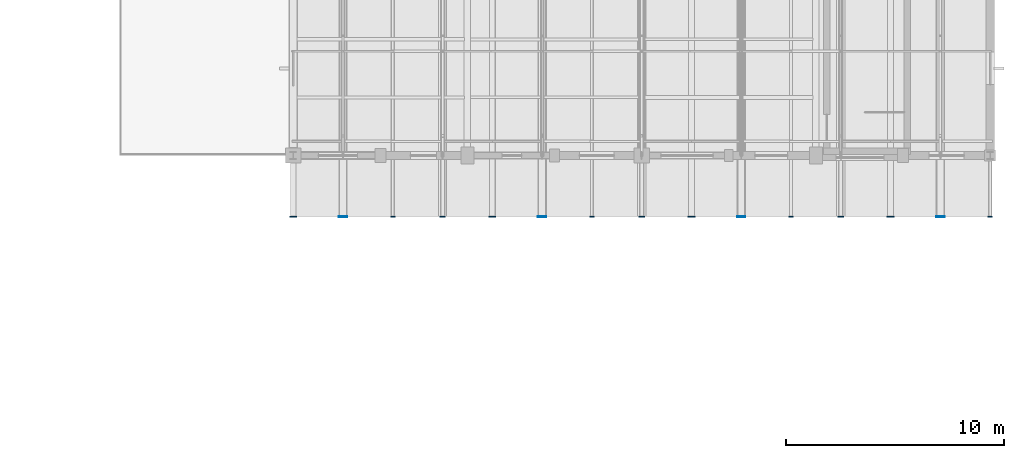
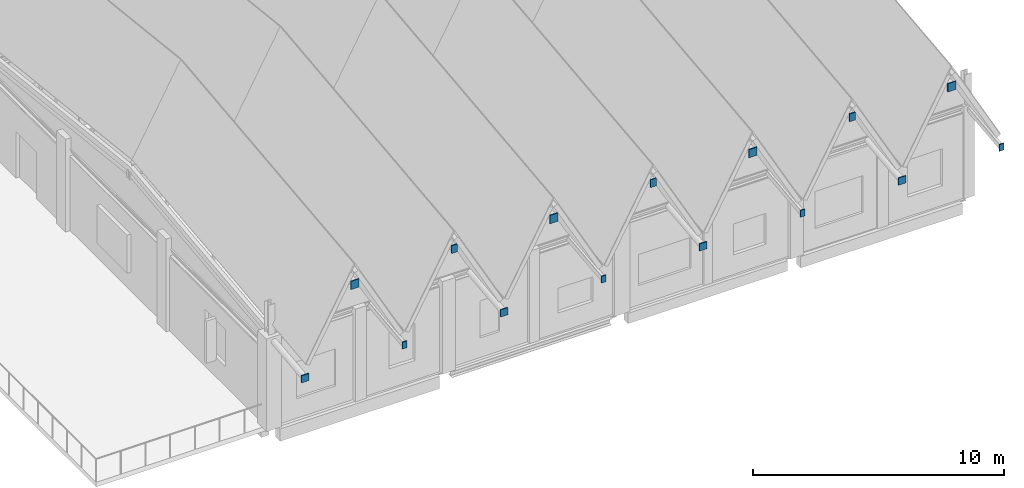
# One storey, part 41 of 48: 15 discrete accessories.
"""IFC4 building model written with IfcOpenShell, lengths in metres."""

from ifc_helpers import new_model, si_unit, direction, frame, origin, origin_2d, place, context, subcontext, project, spatial, rectangle, extrude, material, type_object, element, save


model = new_model("IFC4")

# Units and contexts
model_context = context("Model", 3, precision=1e-05, world=origin(), true_north=direction((0.0, 1.0)))
body_context = subcontext(model_context, "Body", "Model", "MODEL_VIEW")
ifc_project = project(units=[si_unit("LENGTHUNIT", "METRE"), si_unit("AREAUNIT", "SQUARE_METRE"), si_unit("VOLUMEUNIT", "CUBIC_METRE"), si_unit("PLANEANGLEUNIT", "RADIAN"), si_unit("MASSUNIT", "GRAM", prefix="KILO")], contexts=[model_context])

# Site, building, storey
site_placement = place(None, origin())
site = spatial("IfcSite", under=ifc_project, at=site_placement, CompositionType="ELEMENT")
building_placement = place(site_placement, origin())
building = spatial("IfcBuilding", under=site, at=building_placement, Name="Luwemba Playhouse", CompositionType="ELEMENT")
storey_placement = place(building_placement, frame((0.0, 0.0, 13.800048828125)))
storey = spatial("IfcBuildingStorey", under=building, at=storey_placement, Name="L03", CompositionType="ELEMENT", Elevation=13.800048828125)

# Discrete accessories
ifc_material = material(Name="Steel S355", Category="steel")
discrete_accessory_type = type_object("IfcDiscreteAccessoryType", Name="ACC-ENDCAP-S355", PredefinedType="BRACKET", material=ifc_material)
discrete_accessory_1_placement = place(storey_placement, frame((140.0, 65.18505859375, 3.81103515625), z_axis=(0.0, 0.0, 1.0), x_axis=(1.0, 0.0, 0.0)))
element("IfcDiscreteAccessory", 1, at=discrete_accessory_1_placement, inside=storey, type_object=discrete_accessory_type, Name="Welded RHS end cap plate 0257", PredefinedType="BRACKET", context=body_context, shape_type="SweptSolid", body=[
    extrude(rectangle(XDim=0.3330078125, YDim=0.044921875, at=origin_2d()), origin(), (0.0, 0.0, 1.0), 0.35302734375),
])
discrete_accessory_2_placement = place(storey_placement, frame((142.28564453125, 65.18505859375, 7.54833984375), z_axis=(0.0, 0.0, 1.0), x_axis=(1.0, 0.0, 0.0)))
element("IfcDiscreteAccessory", 2, at=discrete_accessory_2_placement, inside=storey, type_object=discrete_accessory_type, Name="Welded RHS end cap plate 0261", PredefinedType="BRACKET", context=body_context, shape_type="SweptSolid", body=[
    extrude(rectangle(XDim=0.384033203125, YDim=0.044921875, at=origin_2d()), origin(), (0.0, 0.0, 1.0), 0.404052734375),
])
discrete_accessory_3_placement = place(storey_placement, frame((144.5712890625, 65.18505859375, 3.834228515625), z_axis=(0.0, 0.0, 1.0), x_axis=(1.0, 0.0, 0.0)))
element("IfcDiscreteAccessory", 3, at=discrete_accessory_3_placement, inside=storey, type_object=discrete_accessory_type, Name="Welded RHS end cap plate 0265", PredefinedType="BRACKET", context=body_context, shape_type="SweptSolid", body=[
    extrude(rectangle(XDim=0.2099609375, YDim=0.044921875, at=origin_2d()), origin(), (0.0, 0.0, 1.0), 0.330078125),
])
discrete_accessory_4_placement = place(storey_placement, frame((146.857177734375, 65.18505859375, 7.685302734375), z_axis=(0.0, 0.0, 1.0), x_axis=(1.0, 0.0, 0.0)))
element("IfcDiscreteAccessory", 4, at=discrete_accessory_4_placement, inside=storey, type_object=discrete_accessory_type, Name="Welded RHS end cap plate 0269", PredefinedType="BRACKET", context=body_context, shape_type="SweptSolid", body=[
    extrude(rectangle(XDim=0.260009765625, YDim=0.044921875, at=origin_2d()), origin(), (0.0, 0.0, 1.0), 0.3798828125),
])
discrete_accessory_5_placement = place(storey_placement, frame((149.142822265625, 65.18505859375, 3.811279296875), z_axis=(0.0, 0.0, 1.0), x_axis=(1.0, 0.0, 0.0)))
element("IfcDiscreteAccessory", 5, at=discrete_accessory_5_placement, inside=storey, type_object=discrete_accessory_type, Name="Welded RHS end cap plate 0273", PredefinedType="BRACKET", context=body_context, shape_type="SweptSolid", body=[
    extrude(rectangle(XDim=0.3330078125, YDim=0.044921875, at=origin_2d()), origin(), (0.0, 0.0, 1.0), 0.35302734375),
])
discrete_accessory_6_placement = place(storey_placement, frame((151.4287109375, 65.18505859375, 7.54833984375), z_axis=(0.0, 0.0, 1.0), x_axis=(1.0, 0.0, 0.0)))
element("IfcDiscreteAccessory", 6, at=discrete_accessory_6_placement, inside=storey, type_object=discrete_accessory_type, Name="Welded RHS end cap plate 0277", PredefinedType="BRACKET", context=body_context, shape_type="SweptSolid", body=[
    extrude(rectangle(XDim=0.384033203125, YDim=0.044921875, at=origin_2d()), origin(), (0.0, 0.0, 1.0), 0.404052734375),
])
discrete_accessory_7_placement = place(storey_placement, frame((153.71435546875, 65.18505859375, 3.834228515625), z_axis=(0.0, 0.0, 1.0), x_axis=(1.0, 0.0, 0.0)))
element("IfcDiscreteAccessory", 7, at=discrete_accessory_7_placement, inside=storey, type_object=discrete_accessory_type, Name="Welded RHS end cap plate 0281", PredefinedType="BRACKET", context=body_context, shape_type="SweptSolid", body=[
    extrude(rectangle(XDim=0.2099609375, YDim=0.044921875, at=origin_2d()), origin(), (0.0, 0.0, 1.0), 0.330078125),
])
discrete_accessory_8_placement = place(storey_placement, frame((156.0, 65.18505859375, 7.685302734375), z_axis=(0.0, 0.0, 1.0), x_axis=(1.0, 0.0, 0.0)))
element("IfcDiscreteAccessory", 8, at=discrete_accessory_8_placement, inside=storey, type_object=discrete_accessory_type, Name="Welded RHS end cap plate 0285", PredefinedType="BRACKET", context=body_context, shape_type="SweptSolid", body=[
    extrude(rectangle(XDim=0.260009765625, YDim=0.044921875, at=origin_2d()), origin(), (0.0, 0.0, 1.0), 0.3798828125),
])
discrete_accessory_9_placement = place(storey_placement, frame((158.28564453125, 65.18505859375, 3.81103515625), z_axis=(0.0, 0.0, 1.0), x_axis=(1.0, 0.0, 0.0)))
element("IfcDiscreteAccessory", 9, at=discrete_accessory_9_placement, inside=storey, type_object=discrete_accessory_type, Name="Welded RHS end cap plate 0289", PredefinedType="BRACKET", context=body_context, shape_type="SweptSolid", body=[
    extrude(rectangle(XDim=0.3330078125, YDim=0.044921875, at=origin_2d()), origin(), (0.0, 0.0, 1.0), 0.35302734375),
])
discrete_accessory_10_placement = place(storey_placement, frame((160.5712890625, 65.18505859375, 7.54833984375), z_axis=(0.0, 0.0, 1.0), x_axis=(1.0, 0.0, 0.0)))
element("IfcDiscreteAccessory", 10, at=discrete_accessory_10_placement, inside=storey, type_object=discrete_accessory_type, Name="Welded RHS end cap plate 0293", PredefinedType="BRACKET", context=body_context, shape_type="SweptSolid", body=[
    extrude(rectangle(XDim=0.384033203125, YDim=0.044921875, at=origin_2d()), origin(), (0.0, 0.0, 1.0), 0.404052734375),
])
discrete_accessory_11_placement = place(storey_placement, frame((162.857177734375, 65.18505859375, 3.834228515625), z_axis=(0.0, 0.0, 1.0), x_axis=(1.0, 0.0, 0.0)))
element("IfcDiscreteAccessory", 11, at=discrete_accessory_11_placement, inside=storey, type_object=discrete_accessory_type, Name="Welded RHS end cap plate 0297", PredefinedType="BRACKET", context=body_context, shape_type="SweptSolid", body=[
    extrude(rectangle(XDim=0.2099609375, YDim=0.044921875, at=origin_2d()), origin(), (0.0, 0.0, 1.0), 0.330078125),
])
discrete_accessory_12_placement = place(storey_placement, frame((165.142822265625, 65.18505859375, 7.685302734375), z_axis=(0.0, 0.0, 1.0), x_axis=(1.0, 0.0, 0.0)))
element("IfcDiscreteAccessory", 12, at=discrete_accessory_12_placement, inside=storey, type_object=discrete_accessory_type, Name="Welded RHS end cap plate 0301", PredefinedType="BRACKET", context=body_context, shape_type="SweptSolid", body=[
    extrude(rectangle(XDim=0.260009765625, YDim=0.044921875, at=origin_2d()), origin(), (0.0, 0.0, 1.0), 0.3798828125),
])
discrete_accessory_13_placement = place(storey_placement, frame((167.4287109375, 65.18505859375, 3.811279296875), z_axis=(0.0, 0.0, 1.0), x_axis=(1.0, 0.0, 0.0)))
element("IfcDiscreteAccessory", 13, at=discrete_accessory_13_placement, inside=storey, type_object=discrete_accessory_type, Name="Welded RHS end cap plate 0305", PredefinedType="BRACKET", context=body_context, shape_type="SweptSolid", body=[
    extrude(rectangle(XDim=0.3330078125, YDim=0.044921875, at=origin_2d()), origin(), (0.0, 0.0, 1.0), 0.35302734375),
])
discrete_accessory_14_placement = place(storey_placement, frame((169.71435546875, 65.18505859375, 7.54833984375), z_axis=(0.0, 0.0, 1.0), x_axis=(1.0, 0.0, 0.0)))
element("IfcDiscreteAccessory", 14, at=discrete_accessory_14_placement, inside=storey, type_object=discrete_accessory_type, Name="Welded RHS end cap plate 0309", PredefinedType="BRACKET", context=body_context, shape_type="SweptSolid", body=[
    extrude(rectangle(XDim=0.384033203125, YDim=0.044921875, at=origin_2d()), origin(), (0.0, 0.0, 1.0), 0.404052734375),
])
discrete_accessory_15_placement = place(storey_placement, frame((172.0, 65.18505859375, 3.834228515625), z_axis=(0.0, 0.0, 1.0), x_axis=(1.0, 0.0, 0.0)))
element("IfcDiscreteAccessory", 15, at=discrete_accessory_15_placement, inside=storey, type_object=discrete_accessory_type, Name="Welded RHS end cap plate 0313", PredefinedType="BRACKET", context=body_context, shape_type="SweptSolid", body=[
    extrude(rectangle(XDim=0.2099609375, YDim=0.044921875, at=origin_2d()), origin(), (0.0, 0.0, 1.0), 0.330078125),
])

save(model, "model.ifc")
